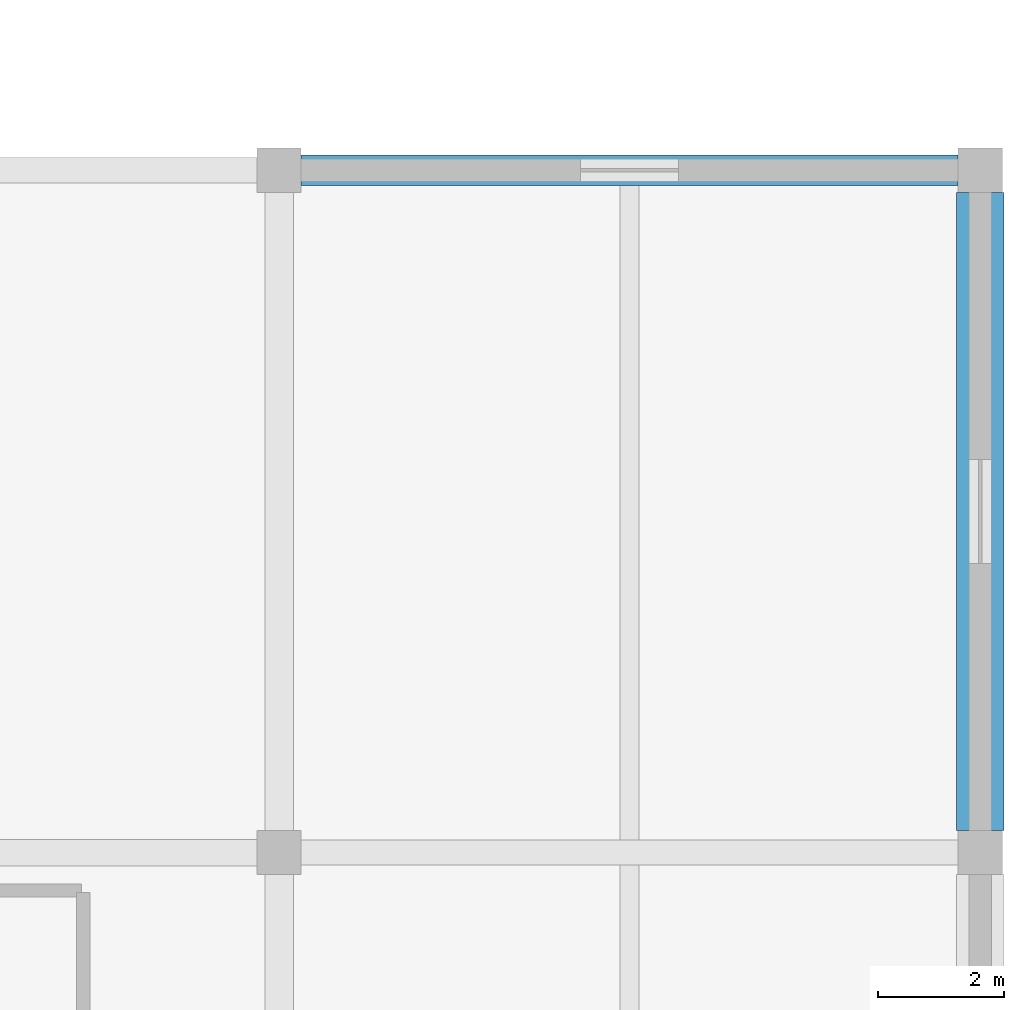
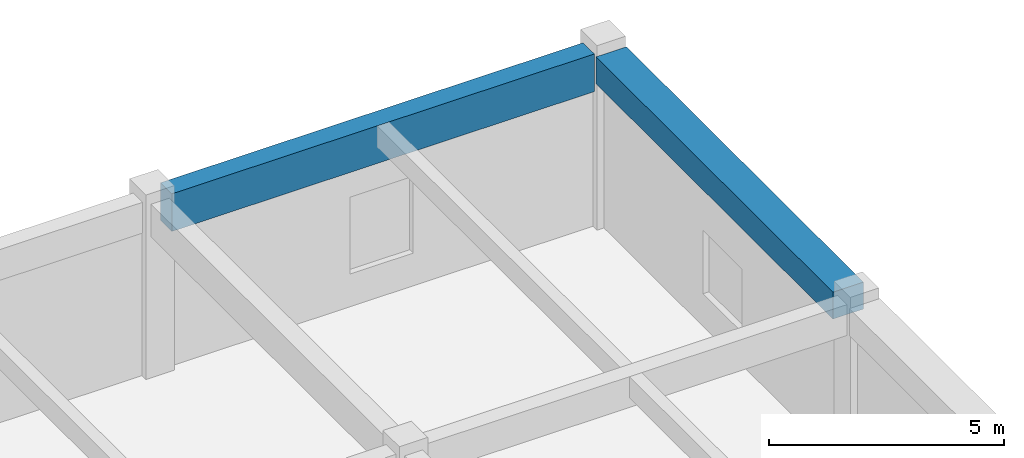
# One storey, part 32 of 65: 2 beams.
"""IFC4 building model written with IfcOpenShell, lengths in metres."""

from ifc_helpers import new_model, si_unit, direction, frame, origin, origin_2d, place, context, subcontext, project, spatial, rectangle, extrude, material, material_profile, profile_set, type_object, element, save


model = new_model("IFC4")

# Units and contexts
model_context = context("Model", 3, precision=1e-05, world=origin(), true_north=direction((0.0, 1.0)))
body_context = subcontext(model_context, "Body", "Model", "MODEL_VIEW")
ifc_project = project(units=[si_unit("LENGTHUNIT", "METRE"), si_unit("AREAUNIT", "SQUARE_METRE"), si_unit("VOLUMEUNIT", "CUBIC_METRE"), si_unit("PLANEANGLEUNIT", "RADIAN"), si_unit("MASSUNIT", "GRAM", prefix="KILO")], contexts=[model_context])

# Site, building, storey
site_placement = place(None, origin())
site = spatial("IfcSite", under=ifc_project, at=site_placement, CompositionType="ELEMENT")
building_placement = place(site_placement, origin())
building = spatial("IfcBuilding", under=site, at=building_placement, Name="Miralva Faculty of Natural Sciences", CompositionType="ELEMENT")
storey_placement = place(building_placement, frame((0.0, 0.0, 10.199951171875)))
storey = spatial("IfcBuildingStorey", under=building, at=storey_placement, Name="L02", CompositionType="ELEMENT", Elevation=10.199951171875)

# Beams
ifc_material = material(Name="Concrete C40/50", Category="concrete")
ifc_material_profile_1 = material_profile(ifc_material, rectangle(XDim=0.47998046875, YDim=0.97998046875, at=origin_2d()), Name="RC 480x980")
ifc_profile_set_1 = profile_set([ifc_material_profile_1], Name="Concrete C40/50")
beam_type_1 = type_object("IfcBeamType", Name="BM-BG18", PredefinedType="BEAM", material=ifc_profile_set_1)
beam_1_placement = place(storey_placement, frame((156.64990234375, 76.199951171875, 4.030029296875), z_axis=(1.0, 0.0, 0.0), x_axis=(0.0, 1.0, 0.0)))
element("IfcBeam", 1, at=beam_1_placement, inside=storey, type_object=beam_type_1, Name="Girder EW L02-59", PredefinedType="BEAM", context=body_context, shape_type="SweptSolid", body=[
    extrude(rectangle(XDim=0.47998046875, YDim=0.97998046875, at=origin_2d()), origin(), (0.0, 0.0, 1.0), 10.400146484375),
])
ifc_material_profile_2 = material_profile(ifc_material, rectangle(XDim=0.75, YDim=0.699951171875, at=origin_2d()), Name="RC 750x700")
ifc_profile_set_2 = profile_set([ifc_material_profile_2], Name="Concrete C40/50")
beam_type_2 = type_object("IfcBeamType", Name="BM-SP01", PredefinedType="SPANDREL", material=ifc_profile_set_2)
beam_2_placement = place(storey_placement, frame((167.39990234375, 65.75, 4.170166015625), z_axis=(0.0, 1.0, 0.0), x_axis=(-1.0, 0.0, 0.0)))
element("IfcBeam", 2, at=beam_2_placement, inside=storey, type_object=beam_type_2, Name="Girder NS L02-147", PredefinedType="SPANDREL", context=body_context, shape_type="SweptSolid", body=[
    extrude(rectangle(XDim=0.75, YDim=0.699951171875, at=origin_2d()), origin(), (0.0, 0.0, 1.0), 10.10009765625),
])

save(model, "model.ifc")
